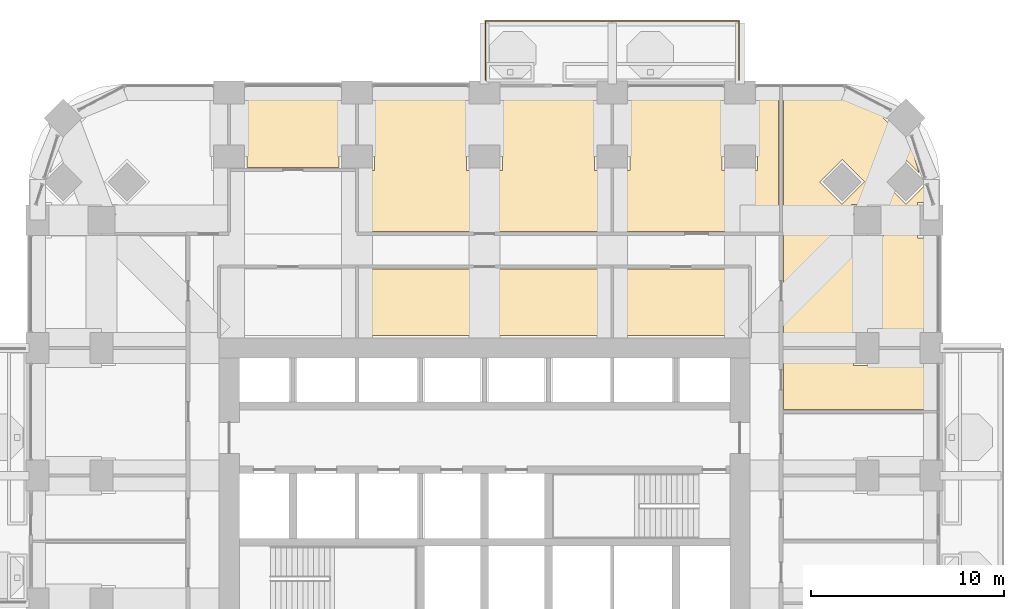
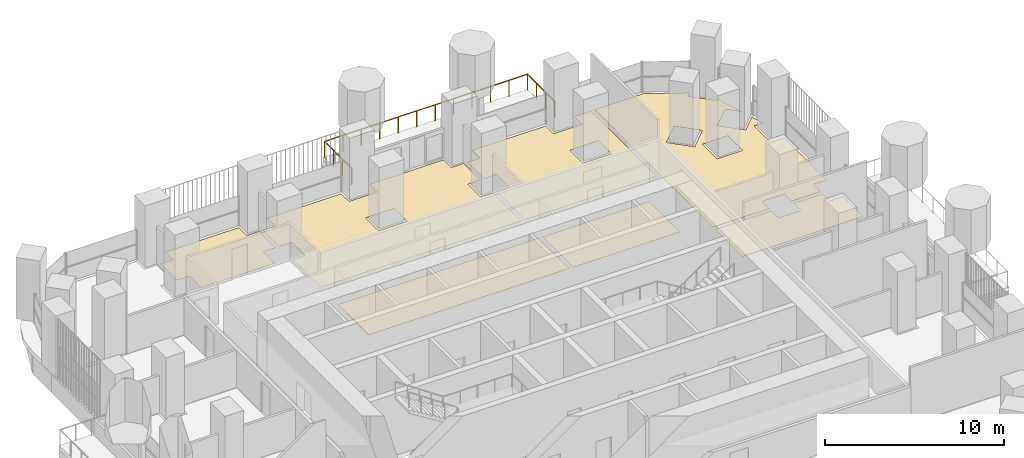
# One storey, part 21 of 22: 7 coverings, 1 railing.
"""IFC4 building model written with IfcOpenShell, lengths in metres."""

from ifc_helpers import new_model, si_unit, direction, frame, origin, place, context, subcontext, project, spatial, polyline, outline, extrude, material, layer, layer_set, type_object, element, save


model = new_model("IFC4")

# Units and contexts
model_context = context("Model", 3, precision=1e-05, world=origin(), true_north=direction((0.0, 1.0)))
body_context = subcontext(model_context, "Body", "Model", "MODEL_VIEW")
ifc_project = project(units=[si_unit("LENGTHUNIT", "METRE"), si_unit("AREAUNIT", "SQUARE_METRE"), si_unit("VOLUMEUNIT", "CUBIC_METRE"), si_unit("PLANEANGLEUNIT", "RADIAN"), si_unit("MASSUNIT", "GRAM", prefix="KILO")], contexts=[model_context])

# Site, building, storey
site_placement = place(None, origin())
site = spatial("IfcSite", under=ifc_project, at=site_placement, CompositionType="ELEMENT")
building_placement = place(site_placement, origin())
building = spatial("IfcBuilding", under=site, at=building_placement, Name="Cobogo Forest Laboratory Tower", CompositionType="ELEMENT")
storey_placement = place(building_placement, frame((0.0, 0.0, 145.199951171875)))
storey = spatial("IfcBuildingStorey", under=building, at=storey_placement, Name="L33", CompositionType="ELEMENT", Elevation=145.199951171875)

# Railing
ifc_material_1 = material(Name="Laminated glass balustrade", Category="glass")
railing_type = type_object("IfcRailingType", Name="BG1 glass balustrade 1100", PredefinedType="GUARDRAIL", material=ifc_material_1)
railing_placement = place(storey_placement, frame((26.449951171875, 46.85009765625, 0.0)))
element("IfcRailing", 1, at=railing_placement, inside=storey, type_object=railing_type, Name="Balcony balustrade BAL-N1 L33", PredefinedType="GUARDRAIL", context=body_context, shape_type="SweptSolid", body=[
    extrude(outline(polyline([(0.022216796875, 0.00927734375), (0.00927734375, 0.022216796875), (-0.00927734375, 0.022216796875), (-0.022216796875, 0.00927734375), (-0.022216796875, -0.00927734375), (-0.00927734375, -0.022216796875), (0.00927734375, -0.022216796875), (0.022216796875, -0.00927734375), (0.022216796875, 0.00927734375)])), frame((0.0, 0.0, 1.077880859375), z_axis=(0.0, 1.0, 0.0), x_axis=(-1.0, 0.0, 0.0)), (0.0, 0.0, 1.0), 3.0498046875),
    extrude(outline(polyline([(0.022216796875, 0.00927734375), (0.00927734375, 0.022216796875), (-0.00927734375, 0.022216796875), (-0.022216796875, 0.00927734375), (-0.022216796875, -0.00927734375), (-0.00927734375, -0.022216796875), (0.00927734375, -0.022216796875), (0.022216796875, -0.00927734375), (0.022216796875, 0.00927734375)])), frame((0.0, 3.0498046875, 1.077880859375), z_axis=(1.0, 0.0, 0.0), x_axis=(0.0, 1.0, 0.0)), (0.0, 0.0, 1.0), 13.10009765625),
    extrude(outline(polyline([(0.022216796875, 0.00927734375), (0.00927734375, 0.022216796875), (-0.00927734375, 0.022216796875), (-0.022216796875, 0.00927734375), (-0.022216796875, -0.00927734375), (-0.00927734375, -0.022216796875), (0.00927734375, -0.022216796875), (0.022216796875, -0.00927734375), (0.022216796875, 0.00927734375)])), frame((13.10009765625, 3.0498046875, 1.077880859375), z_axis=(0.0, -1.0, 0.0), x_axis=(1.0, 0.0, 0.0)), (0.0, 0.0, 1.0), 3.0498046875),
    extrude(outline(polyline([(0.019287109375, 0.008056640625), (0.008056640625, 0.019287109375), (-0.008056640625, 0.019287109375), (-0.019287109375, 0.008056640625), (-0.019287109375, -0.008056640625), (-0.008056640625, -0.019287109375), (0.008056640625, -0.019287109375), (0.019287109375, -0.008056640625), (0.019287109375, 0.008056640625)])), origin(), (0.0, 0.0, 1.0), 1.077880859375),
    extrude(outline(polyline([(0.019287109375, 0.008056640625), (0.008056640625, 0.019287109375), (-0.008056640625, 0.019287109375), (-0.019287109375, 0.008056640625), (-0.019287109375, -0.008056640625), (-0.008056640625, -0.019287109375), (0.008056640625, -0.019287109375), (0.019287109375, -0.008056640625), (0.019287109375, 0.008056640625)])), frame((0.0, 1.0166015625, 0.0)), (0.0, 0.0, 1.0), 1.077880859375),
    extrude(outline(polyline([(0.019287109375, 0.008056640625), (0.008056640625, 0.019287109375), (-0.008056640625, 0.019287109375), (-0.019287109375, 0.008056640625), (-0.019287109375, -0.008056640625), (-0.008056640625, -0.019287109375), (0.008056640625, -0.019287109375), (0.019287109375, -0.008056640625), (0.019287109375, 0.008056640625)])), frame((0.0, 2.033203125, 0.0)), (0.0, 0.0, 1.0), 1.077880859375),
    extrude(outline(polyline([(0.019287109375, 0.008056640625), (0.008056640625, 0.019287109375), (-0.008056640625, 0.019287109375), (-0.019287109375, 0.008056640625), (-0.019287109375, -0.008056640625), (-0.008056640625, -0.019287109375), (0.008056640625, -0.019287109375), (0.019287109375, -0.008056640625), (0.019287109375, 0.008056640625)])), frame((0.0, 3.0498046875, 0.0)), (0.0, 0.0, 1.0), 1.077880859375),
    extrude(outline(polyline([(0.019287109375, 0.008056640625), (0.008056640625, 0.019287109375), (-0.008056640625, 0.019287109375), (-0.019287109375, 0.008056640625), (-0.019287109375, -0.008056640625), (-0.008056640625, -0.019287109375), (0.008056640625, -0.019287109375), (0.019287109375, -0.008056640625), (0.019287109375, 0.008056640625)])), frame((1.19091796875, 3.0498046875, 0.0)), (0.0, 0.0, 1.0), 1.077880859375),
    extrude(outline(polyline([(0.019287109375, 0.008056640625), (0.008056640625, 0.019287109375), (-0.008056640625, 0.019287109375), (-0.019287109375, 0.008056640625), (-0.019287109375, -0.008056640625), (-0.008056640625, -0.019287109375), (0.008056640625, -0.019287109375), (0.019287109375, -0.008056640625), (0.019287109375, 0.008056640625)])), frame((2.3818359375, 3.0498046875, 0.0)), (0.0, 0.0, 1.0), 1.077880859375),
    extrude(outline(polyline([(0.019287109375, 0.008056640625), (0.008056640625, 0.019287109375), (-0.008056640625, 0.019287109375), (-0.019287109375, 0.008056640625), (-0.019287109375, -0.008056640625), (-0.008056640625, -0.019287109375), (0.008056640625, -0.019287109375), (0.019287109375, -0.008056640625), (0.019287109375, 0.008056640625)])), frame((3.57275390625, 3.0498046875, 0.0)), (0.0, 0.0, 1.0), 1.077880859375),
    extrude(outline(polyline([(0.019287109375, 0.008056640625), (0.008056640625, 0.019287109375), (-0.008056640625, 0.019287109375), (-0.019287109375, 0.008056640625), (-0.019287109375, -0.008056640625), (-0.008056640625, -0.019287109375), (0.008056640625, -0.019287109375), (0.019287109375, -0.008056640625), (0.019287109375, 0.008056640625)])), frame((4.763671875, 3.0498046875, 0.0)), (0.0, 0.0, 1.0), 1.077880859375),
    extrude(outline(polyline([(0.019287109375, 0.008056640625), (0.008056640625, 0.019287109375), (-0.008056640625, 0.019287109375), (-0.019287109375, 0.008056640625), (-0.019287109375, -0.008056640625), (-0.008056640625, -0.019287109375), (0.008056640625, -0.019287109375), (0.019287109375, -0.008056640625), (0.019287109375, 0.008056640625)])), frame((5.95458984375, 3.0498046875, 0.0)), (0.0, 0.0, 1.0), 1.077880859375),
    extrude(outline(polyline([(0.019287109375, 0.008056640625), (0.008056640625, 0.019287109375), (-0.008056640625, 0.019287109375), (-0.019287109375, 0.008056640625), (-0.019287109375, -0.008056640625), (-0.008056640625, -0.019287109375), (0.008056640625, -0.019287109375), (0.019287109375, -0.008056640625), (0.019287109375, 0.008056640625)])), frame((7.1455078125, 3.0498046875, 0.0)), (0.0, 0.0, 1.0), 1.077880859375),
    extrude(outline(polyline([(0.019287109375, 0.008056640625), (0.008056640625, 0.019287109375), (-0.008056640625, 0.019287109375), (-0.019287109375, 0.008056640625), (-0.019287109375, -0.008056640625), (-0.008056640625, -0.019287109375), (0.008056640625, -0.019287109375), (0.019287109375, -0.008056640625), (0.019287109375, 0.008056640625)])), frame((8.33642578125, 3.0498046875, 0.0)), (0.0, 0.0, 1.0), 1.077880859375),
    extrude(outline(polyline([(0.019287109375, 0.008056640625), (0.008056640625, 0.019287109375), (-0.008056640625, 0.019287109375), (-0.019287109375, 0.008056640625), (-0.019287109375, -0.008056640625), (-0.008056640625, -0.019287109375), (0.008056640625, -0.019287109375), (0.019287109375, -0.008056640625), (0.019287109375, 0.008056640625)])), frame((9.52734375, 3.0498046875, 0.0)), (0.0, 0.0, 1.0), 1.077880859375),
    extrude(outline(polyline([(0.019287109375, 0.008056640625), (0.008056640625, 0.019287109375), (-0.008056640625, 0.019287109375), (-0.019287109375, 0.008056640625), (-0.019287109375, -0.008056640625), (-0.008056640625, -0.019287109375), (0.008056640625, -0.019287109375), (0.019287109375, -0.008056640625), (0.019287109375, 0.008056640625)])), frame((10.71826171875, 3.0498046875, 0.0)), (0.0, 0.0, 1.0), 1.077880859375),
    extrude(outline(polyline([(0.019287109375, 0.008056640625), (0.008056640625, 0.019287109375), (-0.008056640625, 0.019287109375), (-0.019287109375, 0.008056640625), (-0.019287109375, -0.008056640625), (-0.008056640625, -0.019287109375), (0.008056640625, -0.019287109375), (0.019287109375, -0.008056640625), (0.019287109375, 0.008056640625)])), frame((11.9091796875, 3.0498046875, 0.0)), (0.0, 0.0, 1.0), 1.077880859375),
    extrude(outline(polyline([(0.019287109375, 0.008056640625), (0.008056640625, 0.019287109375), (-0.008056640625, 0.019287109375), (-0.019287109375, 0.008056640625), (-0.019287109375, -0.008056640625), (-0.008056640625, -0.019287109375), (0.008056640625, -0.019287109375), (0.019287109375, -0.008056640625), (0.019287109375, 0.008056640625)])), frame((13.10009765625, 3.0498046875, 0.0)), (0.0, 0.0, 1.0), 1.077880859375),
    extrude(outline(polyline([(0.019287109375, 0.008056640625), (0.008056640625, 0.019287109375), (-0.008056640625, 0.019287109375), (-0.019287109375, 0.008056640625), (-0.019287109375, -0.008056640625), (-0.008056640625, -0.019287109375), (0.008056640625, -0.019287109375), (0.019287109375, -0.008056640625), (0.019287109375, 0.008056640625)])), frame((13.10009765625, 2.033203125, 0.0)), (0.0, 0.0, 1.0), 1.077880859375),
    extrude(outline(polyline([(0.019287109375, 0.008056640625), (0.008056640625, 0.019287109375), (-0.008056640625, 0.019287109375), (-0.019287109375, 0.008056640625), (-0.019287109375, -0.008056640625), (-0.008056640625, -0.019287109375), (0.008056640625, -0.019287109375), (0.019287109375, -0.008056640625), (0.019287109375, 0.008056640625)])), frame((13.10009765625, 1.0166015625, 0.0)), (0.0, 0.0, 1.0), 1.077880859375),
    extrude(outline(polyline([(0.019287109375, 0.008056640625), (0.008056640625, 0.019287109375), (-0.008056640625, 0.019287109375), (-0.019287109375, 0.008056640625), (-0.019287109375, -0.008056640625), (-0.008056640625, -0.019287109375), (0.008056640625, -0.019287109375), (0.019287109375, -0.008056640625), (0.019287109375, 0.008056640625)])), frame((13.10009765625, 0.0, 0.0)), (0.0, 0.0, 1.0), 1.077880859375),
])

# Coverings
ifc_material_2 = material(Name="Carpet tile on raised access floor", Category="flooring")
ifc_layer_1 = layer(ifc_material_2, 0.008056640625)
ifc_layer_set_1 = layer_set([ifc_layer_1], Name="CT1 carpet tile floor 8")
covering_type_1 = type_object("IfcCoveringType", Name="CT1 carpet tile floor 8", PredefinedType="FLOORING", material=ifc_layer_set_1)
covering_1_placement = place(storey_placement, origin())
element("IfcCovering", 2, at=covering_1_placement, inside=storey, type_object=covering_type_1, Name="Carpet floor L33-13", PredefinedType="FLOORING", context=body_context, shape_type="SweptSolid", body=[
    extrude(outline(polyline([(41.844970703125, 32.8798828125), (45.47998046875, 32.8798828125), (45.47998046875, 32.080078125), (46.919921875, 32.080078125), (46.919921875, 32.8798828125), (48.780029296875, 32.8798828125), (48.780029296875, 32.080078125), (49.64990234375, 32.080078125), (49.64990234375, 29.820068359375), (41.844970703125, 29.820068359375), (41.844970703125, 32.8798828125)])), origin(), (0.0, 0.0, 1.0), 0.008056640625),
])
covering_2_placement = place(storey_placement, origin())
element("IfcCovering", 3, at=covering_2_placement, inside=storey, type_object=covering_type_1, Name="Carpet floor L33-14", PredefinedType="FLOORING", context=body_context, shape_type="SweptSolid", body=[
    extrude(outline(polyline([(41.844970703125, 46.35009765625), (44.95068359375, 46.35009765625), (47.27294921875, 45.132568359375), (47.022216796875, 44.882080078125), (48.181884765625, 43.722412109375), (48.30078125, 43.84130859375), (48.86328125, 42.060302734375), (48.181884765625, 42.74169921875), (47.022216796875, 41.58203125), (48.181884765625, 40.42236328125), (49.093017578125, 41.333251953125), (49.349853515625, 40.52001953125), (48.780029296875, 40.52001953125), (48.780029296875, 38.679931640625), (49.64990234375, 38.679931640625), (49.64990234375, 33.919921875), (48.780029296875, 33.919921875), (48.780029296875, 33.1201171875), (46.919921875, 33.1201171875), (46.919921875, 33.919921875), (45.47998046875, 33.919921875), (45.47998046875, 33.1201171875), (41.844970703125, 33.1201171875), (41.844970703125, 46.35009765625)]), holes=[polyline([(45.3798828125, 40.419921875), (45.3798828125, 38.780029296875), (47.02001953125, 38.780029296875), (47.02001953125, 40.419921875), (45.3798828125, 40.419921875)]), polyline([(43.722412109375, 41.58203125), (44.882080078125, 40.42236328125), (46.041748046875, 41.58203125), (44.882080078125, 42.74169921875), (43.722412109375, 41.58203125)])]), origin(), (0.0, 0.0, 1.0), 0.008056640625),
])
ifc_material_3 = material(Name="Epoxy resin flooring", Category="flooring")
ifc_layer_2 = layer(ifc_material_3, 0.00390625)
ifc_layer_set_2 = layer_set([ifc_layer_2], Name="LF1 epoxy laboratory floor 4")
covering_type_2 = type_object("IfcCoveringType", Name="LF1 epoxy laboratory floor 4", PredefinedType="FLOORING", material=ifc_layer_set_2)
covering_3_placement = place(storey_placement, origin())
element("IfcCovering", 4, at=covering_3_placement, inside=storey, type_object=covering_type_2, Name="Epoxy laboratory floor L33-03", PredefinedType="FLOORING", context=body_context, shape_type="SweptSolid", body=[
    extrude(outline(polyline([(40.0048828125, 33.64501953125), (33.1201171875, 33.64501953125), (33.1201171875, 37.080078125), (40.0048828125, 37.080078125), (40.0048828125, 33.64501953125)])), origin(), (0.0, 0.0, 1.0), 0.004150390625),
])
covering_4_placement = place(storey_placement, origin())
element("IfcCovering", 5, at=covering_4_placement, inside=storey, type_object=covering_type_2, Name="Epoxy laboratory floor L33-16", PredefinedType="FLOORING", context=body_context, shape_type="SweptSolid", body=[
    extrude(outline(polyline([(14.1201171875, 42.320068359375), (14.1201171875, 43.6201171875), (13.320068359375, 43.6201171875), (13.320068359375, 45.47998046875), (14.1201171875, 45.47998046875), (14.1201171875, 46.35009765625), (18.8798828125, 46.35009765625), (18.8798828125, 45.47998046875), (19.679931640625, 45.47998046875), (19.679931640625, 43.6201171875), (18.8798828125, 43.6201171875), (18.8798828125, 42.320068359375), (14.1201171875, 42.320068359375)])), origin(), (0.0, 0.0, 1.0), 0.004150390625),
])
covering_5_placement = place(storey_placement, origin())
element("IfcCovering", 6, at=covering_5_placement, inside=storey, type_object=covering_type_2, Name="Epoxy laboratory floor L33-17", PredefinedType="FLOORING", context=body_context, shape_type="SweptSolid", body=[
    extrude(outline(polyline([(19.919921875, 39.02001953125), (19.919921875, 42.179931640625), (20.719970703125, 42.179931640625), (20.719970703125, 43.6201171875), (19.919921875, 43.6201171875), (19.919921875, 45.47998046875), (20.719970703125, 45.47998046875), (20.719970703125, 46.35009765625), (25.47998046875, 46.35009765625), (25.47998046875, 45.47998046875), (27.320068359375, 45.47998046875), (27.320068359375, 46.35009765625), (32.080078125, 46.35009765625), (32.080078125, 45.47998046875), (32.8798828125, 45.47998046875), (32.8798828125, 43.6201171875), (32.080078125, 43.6201171875), (32.080078125, 42.179931640625), (32.8798828125, 42.179931640625), (32.8798828125, 39.02001953125), (19.919921875, 39.02001953125)]), holes=[polyline([(25.47998046875, 43.6201171875), (25.47998046875, 42.179931640625), (27.320068359375, 42.179931640625), (27.320068359375, 43.6201171875), (25.47998046875, 43.6201171875)])]), origin(), (0.0, 0.0, 1.0), 0.004150390625),
])
covering_6_placement = place(storey_placement, origin())
element("IfcCovering", 7, at=covering_6_placement, inside=storey, type_object=covering_type_2, Name="Epoxy laboratory floor L33-18", PredefinedType="FLOORING", context=body_context, shape_type="SweptSolid", body=[
    extrude(outline(polyline([(33.1201171875, 39.02001953125), (33.1201171875, 42.179931640625), (33.919921875, 42.179931640625), (33.919921875, 43.6201171875), (33.1201171875, 43.6201171875), (33.1201171875, 45.47998046875), (33.919921875, 45.47998046875), (33.919921875, 46.35009765625), (38.679931640625, 46.35009765625), (38.679931640625, 45.47998046875), (40.52001953125, 45.47998046875), (40.52001953125, 46.35009765625), (41.60498046875, 46.35009765625), (41.60498046875, 39.02001953125), (33.1201171875, 39.02001953125)]), holes=[polyline([(38.679931640625, 43.6201171875), (38.679931640625, 42.179931640625), (40.52001953125, 42.179931640625), (40.52001953125, 43.6201171875), (38.679931640625, 43.6201171875)])]), origin(), (0.0, 0.0, 1.0), 0.004150390625),
])
ifc_material_4 = material(Name="Ceramic floor tile", Category="flooring")
ifc_layer_3 = layer(ifc_material_4, 0.010009765625)
ifc_layer_set_3 = layer_set([ifc_layer_3], Name="TF1 ceramic tile floor 10")
covering_type_3 = type_object("IfcCoveringType", Name="TF1 ceramic tile floor 10", PredefinedType="FLOORING", material=ifc_layer_set_3)
covering_7_placement = place(storey_placement, origin())
element("IfcCovering", 8, at=covering_7_placement, inside=storey, type_object=covering_type_3, Name="Tile floor L33-02", PredefinedType="FLOORING", context=body_context, shape_type="SweptSolid", body=[
    extrude(outline(polyline([(32.8798828125, 33.64501953125), (19.919921875, 33.64501953125), (19.919921875, 37.080078125), (32.8798828125, 37.080078125), (32.8798828125, 33.64501953125)])), origin(), (0.0, 0.0, 1.0), 0.010009765625),
])

save(model, "model.ifc")
